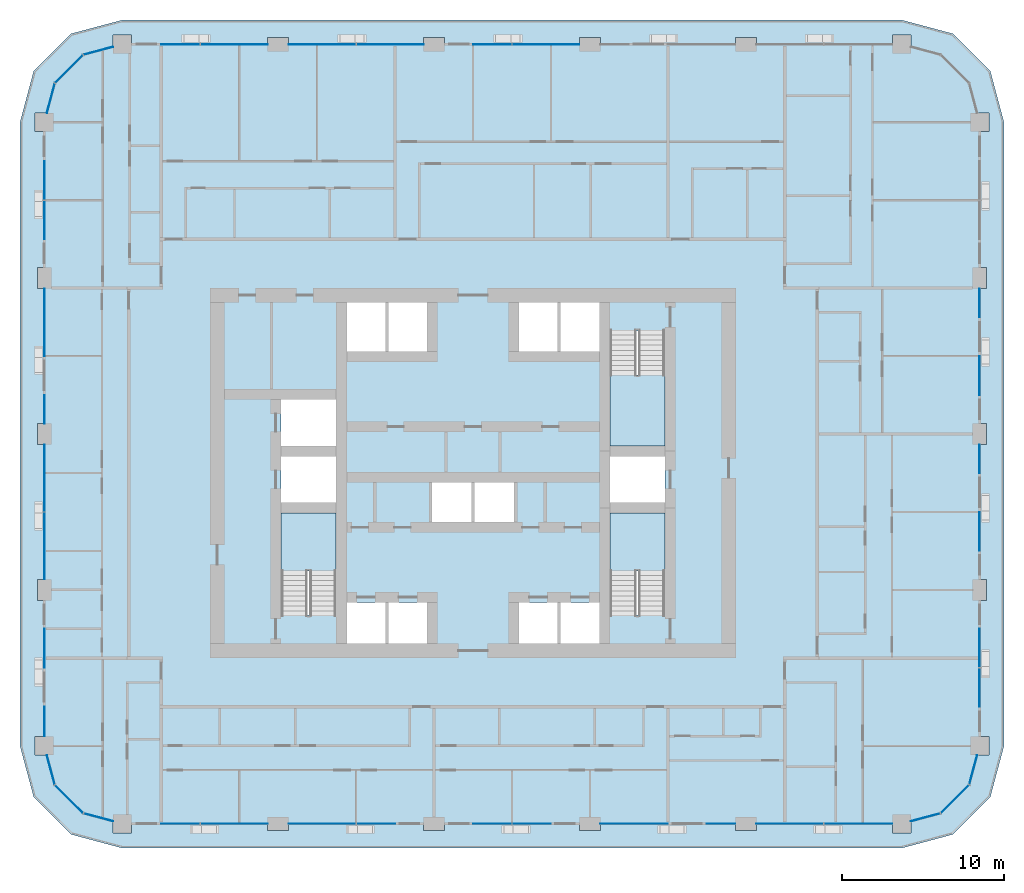
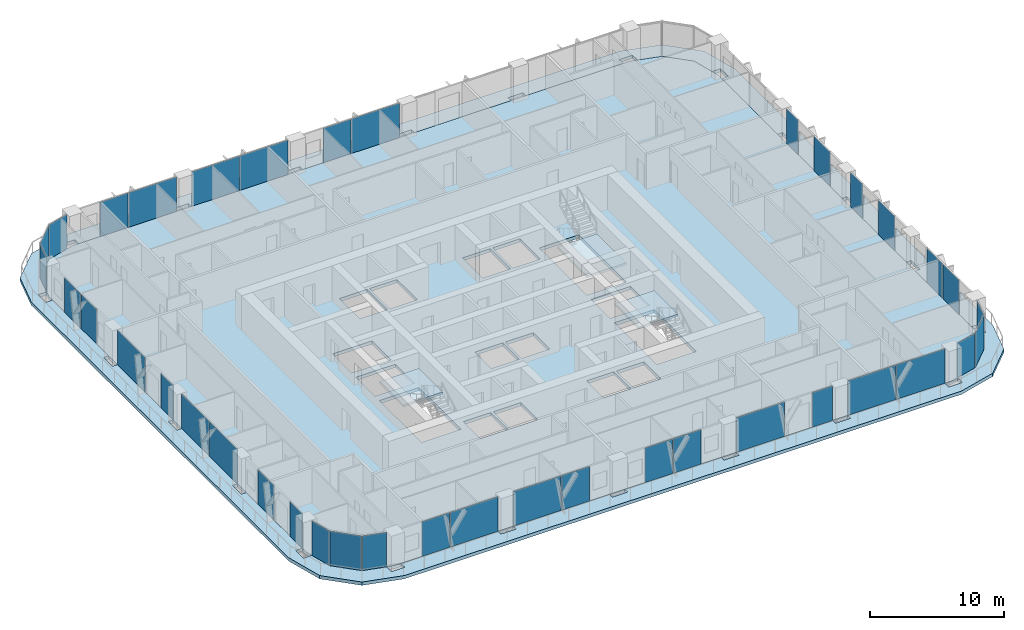
# One storey, part 7 of 21: 39 plates, 5 slabs, 21 elements without a shape of their own.
"""IFC4 building model written with IfcOpenShell, lengths in metres."""

from ifc_helpers import new_model, si_unit, direction, frame, origin, origin_2d, place, context, subcontext, project, spatial, polyline, rectangle, outline, extrude, material, layer, layer_set, type_object, element, aggregate, save


model = new_model("IFC4")

# Units and contexts
model_context = context("Model", 3, precision=1e-05, world=origin(), true_north=direction((0.0, 1.0)))
body_context = subcontext(model_context, "Body", "Model", "MODEL_VIEW")
ifc_project = project(units=[si_unit("LENGTHUNIT", "METRE"), si_unit("AREAUNIT", "SQUARE_METRE"), si_unit("VOLUMEUNIT", "CUBIC_METRE"), si_unit("PLANEANGLEUNIT", "RADIAN"), si_unit("MASSUNIT", "GRAM", prefix="KILO")], contexts=[model_context])

# Site, building, storey
site_placement = place(None, origin())
site = spatial("IfcSite", under=ifc_project, at=site_placement, CompositionType="ELEMENT")
building_placement = place(site_placement, origin())
building = spatial("IfcBuilding", under=site, at=building_placement, Name="Madar Terraces", CompositionType="ELEMENT")
storey_placement = place(building_placement, frame((0.0, 0.0, 89.199951171875)))
storey = spatial("IfcBuildingStorey", under=building, at=storey_placement, Name="L22", CompositionType="ELEMENT", Elevation=89.199951171875)

# Slabs
ifc_material_1 = material(Name="Concrete C50/60", Category="concrete")
ifc_layer_1 = layer(ifc_material_1, 0.300048828125)
ifc_layer_set_1 = layer_set([ifc_layer_1], Name="Balcony band 300")
slab_type_1 = type_object("IfcSlabType", Name="Balcony band 300", PredefinedType="FLOOR", material=ifc_layer_set_1)
slab_1_placement = place(storey_placement, frame((0.0, 0.0, -0.300048828125)))
element("IfcSlab", 1, at=slab_1_placement, inside=storey, type_object=slab_type_1, Name="Balcony band", PredefinedType="FLOOR", context=body_context, shape_type="SweptSolid", body=[
    extrude(outline(polyline([(9.60009765625, 3.300048828125), (6.449951171875, 4.14404296875), (4.14404296875, 6.449951171875), (3.300048828125, 9.60009765625), (3.300048828125, 48.0), (4.14404296875, 51.14990234375), (6.449951171875, 53.4560546875), (9.60009765625, 54.300048828125), (57.60009765625, 54.300048828125), (60.75, 53.4560546875), (63.055908203125, 51.14990234375), (63.89990234375, 48.0), (63.89990234375, 9.60009765625), (63.055908203125, 6.449951171875), (60.75, 4.14404296875), (57.60009765625, 3.300048828125), (9.60009765625, 3.300048828125)]), holes=[polyline([(10.175048828125, 4.22509765625), (10.175048828125, 4.800048828125), (18.550048828125, 4.800048828125), (18.550048828125, 4.375), (19.85009765625, 4.375), (19.85009765625, 4.800048828125), (28.14990234375, 4.800048828125), (28.14990234375, 4.375), (29.449951171875, 4.375), (29.449951171875, 4.800048828125), (37.75, 4.800048828125), (37.75, 4.375), (39.050048828125, 4.375), (39.050048828125, 4.800048828125), (47.35009765625, 4.800048828125), (47.35009765625, 4.375), (48.64990234375, 4.375), (48.64990234375, 4.800048828125), (57.02490234375, 4.800048828125), (57.02490234375, 4.22509765625), (58.175048828125, 4.22509765625), (58.175048828125, 4.9541015625), (60.0, 5.443115234375), (61.7568359375, 7.199951171875), (62.245849609375, 9.02490234375), (62.97509765625, 9.02490234375), (62.97509765625, 10.175048828125), (62.39990234375, 10.175048828125), (62.39990234375, 18.550048828125), (62.824951171875, 18.550048828125), (62.824951171875, 19.85009765625), (62.39990234375, 19.85009765625), (62.39990234375, 28.14990234375), (62.824951171875, 28.14990234375), (62.824951171875, 29.449951171875), (62.39990234375, 29.449951171875), (62.39990234375, 37.75), (62.824951171875, 37.75), (62.824951171875, 39.050048828125), (62.39990234375, 39.050048828125), (62.39990234375, 47.425048828125), (62.97509765625, 47.425048828125), (62.97509765625, 48.574951171875), (62.245849609375, 48.574951171875), (61.7568359375, 50.39990234375), (60.0, 52.156982421875), (58.175048828125, 52.64599609375), (58.175048828125, 53.375), (57.02490234375, 53.375), (57.02490234375, 52.800048828125), (48.64990234375, 52.800048828125), (48.64990234375, 53.22509765625), (47.35009765625, 53.22509765625), (47.35009765625, 52.800048828125), (39.050048828125, 52.800048828125), (39.050048828125, 53.22509765625), (37.75, 53.22509765625), (37.75, 52.800048828125), (29.449951171875, 52.800048828125), (29.449951171875, 53.22509765625), (28.14990234375, 53.22509765625), (28.14990234375, 52.800048828125), (19.85009765625, 52.800048828125), (19.85009765625, 53.22509765625), (18.550048828125, 53.22509765625), (18.550048828125, 52.800048828125), (10.175048828125, 52.800048828125), (10.175048828125, 53.375), (9.02490234375, 53.375), (9.02490234375, 52.64599609375), (7.199951171875, 52.156982421875), (5.443115234375, 50.39990234375), (4.9541015625, 48.574951171875), (4.22509765625, 48.574951171875), (4.22509765625, 47.425048828125), (4.800048828125, 47.425048828125), (4.800048828125, 39.050048828125), (4.375, 39.050048828125), (4.375, 37.75), (4.800048828125, 37.75), (4.800048828125, 29.449951171875), (4.375, 29.449951171875), (4.375, 28.14990234375), (4.800048828125, 28.14990234375), (4.800048828125, 19.85009765625), (4.375, 19.85009765625), (4.375, 18.550048828125), (4.800048828125, 18.550048828125), (4.800048828125, 10.175048828125), (4.22509765625, 10.175048828125), (4.22509765625, 9.02490234375), (4.9541015625, 9.02490234375), (5.443115234375, 7.199951171875), (7.199951171875, 5.443115234375), (9.02490234375, 4.9541015625), (9.02490234375, 4.22509765625), (10.175048828125, 4.22509765625)])]), origin(), (0.0, 0.0, 1.0), 0.300048828125),
])
ifc_material_2 = material(Name="Concrete C50/60", Category="concrete")
ifc_layer_2 = layer(ifc_material_2, 0.300048828125)
ifc_layer_set_2 = layer_set([ifc_layer_2], Name="FS2 PT flat slab 300")
slab_type_2 = type_object("IfcSlabType", Name="FS2 PT flat slab 300", PredefinedType="FLOOR", material=ifc_layer_set_2)
slab_2_placement = place(storey_placement, frame((0.0, 0.0, -0.300048828125)))
element("IfcSlab", 2, at=slab_2_placement, inside=storey, type_object=slab_type_2, Name="Floor slab L22 (1)", PredefinedType="FLOOR", context=body_context, shape_type="SweptSolid", body=[
    extrude(outline(polyline([(57.60009765625, 4.800048828125), (60.0, 5.443115234375), (61.7568359375, 7.199951171875), (62.39990234375, 9.60009765625), (62.39990234375, 48.0), (61.7568359375, 50.39990234375), (60.0, 52.156982421875), (57.60009765625, 52.800048828125), (9.60009765625, 52.800048828125), (7.199951171875, 52.156982421875), (5.443115234375, 50.39990234375), (4.800048828125, 48.0), (4.800048828125, 9.60009765625), (5.443115234375, 7.199951171875), (7.199951171875, 5.443115234375), (9.60009765625, 4.800048828125), (57.60009765625, 4.800048828125)]), holes=[polyline([(23.425048828125, 15.89990234375), (23.425048828125, 18.425048828125), (25.800048828125, 18.425048828125), (25.800048828125, 15.89990234375), (23.425048828125, 15.89990234375)]), polyline([(26.0, 15.89990234375), (26.0, 18.425048828125), (28.375, 18.425048828125), (28.375, 15.89990234375), (26.0, 15.89990234375)]), polyline([(19.375, 17.64990234375), (19.375, 23.925048828125), (22.77490234375, 23.925048828125), (22.77490234375, 17.64990234375), (19.375, 17.64990234375)]), polyline([(28.675048828125, 23.375), (28.675048828125, 25.824951171875), (31.10009765625, 25.824951171875), (31.10009765625, 23.375), (28.675048828125, 23.375)]), polyline([(19.375, 24.574951171875), (19.375, 27.425048828125), (22.77490234375, 27.425048828125), (22.77490234375, 24.574951171875), (19.375, 24.574951171875)]), polyline([(19.375, 28.074951171875), (19.375, 30.925048828125), (22.77490234375, 30.925048828125), (22.77490234375, 28.074951171875), (19.375, 28.074951171875)]), polyline([(23.425048828125, 33.875), (23.425048828125, 36.89990234375), (25.800048828125, 36.89990234375), (25.800048828125, 33.875), (23.425048828125, 33.875)]), polyline([(26.0, 33.875), (26.0, 36.89990234375), (28.375, 36.89990234375), (28.375, 33.875), (26.0, 33.875)]), polyline([(34.02490234375, 15.89990234375), (34.02490234375, 18.425048828125), (36.39990234375, 18.425048828125), (36.39990234375, 15.89990234375), (34.02490234375, 15.89990234375)]), polyline([(36.60009765625, 15.89990234375), (36.60009765625, 18.425048828125), (38.97509765625, 18.425048828125), (38.97509765625, 15.89990234375), (36.60009765625, 15.89990234375)]), polyline([(39.625, 17.64990234375), (39.625, 23.925048828125), (43.02490234375, 23.925048828125), (43.02490234375, 17.64990234375), (39.625, 17.64990234375)]), polyline([(31.300048828125, 23.375), (31.300048828125, 25.824951171875), (33.72509765625, 25.824951171875), (33.72509765625, 23.375), (31.300048828125, 23.375)]), polyline([(39.625, 24.574951171875), (39.625, 27.425048828125), (43.02490234375, 27.425048828125), (43.02490234375, 24.574951171875), (39.625, 24.574951171875)]), polyline([(39.625, 28.074951171875), (39.625, 35.14990234375), (43.02490234375, 35.14990234375), (43.02490234375, 28.074951171875), (39.625, 28.074951171875)]), polyline([(34.02490234375, 33.875), (34.02490234375, 36.89990234375), (36.39990234375, 36.89990234375), (36.39990234375, 33.875), (34.02490234375, 33.875)]), polyline([(36.60009765625, 33.875), (36.60009765625, 36.89990234375), (38.97509765625, 36.89990234375), (38.97509765625, 33.875), (36.60009765625, 33.875)])]), origin(), (0.0, 0.0, 1.0), 0.300048828125),
])

# Curtain wall, plates
ifc_material_3 = material(Name="Glass, ceramic frit dark grey, with black aluminium frame", Category="aluminium")
ifc_layer_3 = layer(ifc_material_3, 0.199951171875)
ifc_layer_set_3 = layer_set([ifc_layer_3], Name="Facade curtain wall, fritted glass")
curtain_wall_type = type_object("IfcCurtainWallType", Name="Facade curtain wall, fritted glass", PredefinedType="NOTDEFINED", material=ifc_layer_set_3)
curtain_wall_1_placement = place(storey_placement, origin())
curtain_wall_1 = element("IfcCurtainWall", 3, at=curtain_wall_1_placement, inside=storey, type_object=curtain_wall_type, Name="Outer skin curtain wall south bay 1", PredefinedType="NOTDEFINED")
ifc_material_4 = material(Name="Glass, ceramic frit dark grey", Category="glass")
ifc_layer_4 = layer(ifc_material_4, 0.028076171875)
ifc_layer_set_4 = layer_set([ifc_layer_4], Name="Facade glass panel 28")
plate_type = type_object("IfcPlateType", Name="Facade glass panel 28", PredefinedType="CURTAIN_PANEL", material=ifc_layer_set_4)
plate_1_placement = place(storey_placement, frame((13.18505859375, 4.800048828125, 0.0), z_axis=(0.0, 0.0, 1.0), x_axis=(1.0, 0.0, 0.0)))
plate_1 = element("IfcPlate", 4, at=plate_1_placement, type_object=plate_type, Name="Panel 1", PredefinedType="CURTAIN_PANEL", context=body_context, shape_type="SweptSolid", body=[
    extrude(rectangle(XDim=2.3701171875, YDim=0.028076171875, at=origin_2d()), origin(), (0.0, 0.0, 1.0), 3.139892578125),
])
plate_2_placement = place(storey_placement, frame((16.489990234375, 4.800048828125, 0.0), z_axis=(0.0, 0.0, 1.0), x_axis=(1.0, 0.0, 0.0)))
plate_2 = element("IfcPlate", 5, at=plate_2_placement, type_object=plate_type, Name="Panel 2", PredefinedType="CURTAIN_PANEL", context=body_context, shape_type="SweptSolid", body=[
    extrude(rectangle(XDim=4.1201171875, YDim=0.028076171875, at=origin_2d()), origin(), (0.0, 0.0, 1.0), 3.139892578125),
])
aggregate(curtain_wall_1, [plate_1, plate_2])

curtain_wall_2_placement = place(storey_placement, origin())
curtain_wall_2 = element("IfcCurtainWall", 6, at=curtain_wall_2_placement, inside=storey, type_object=curtain_wall_type, Name="Outer skin curtain wall south bay 2", PredefinedType="NOTDEFINED")
plate_3_placement = place(storey_placement, frame((21.909912109375, 4.800048828125, 0.0), z_axis=(0.0, 0.0, 1.0), x_axis=(1.0, 0.0, 0.0)))
plate_3 = element("IfcPlate", 7, at=plate_3_placement, type_object=plate_type, Name="Panel 1", PredefinedType="CURTAIN_PANEL", context=body_context, shape_type="SweptSolid", body=[
    extrude(rectangle(XDim=4.1201171875, YDim=0.028076171875, at=origin_2d()), origin(), (0.0, 0.0, 1.0), 3.139892578125),
])
plate_4_placement = place(storey_placement, frame((25.215087890625, 4.800048828125, 0.0), z_axis=(0.0, 0.0, 1.0), x_axis=(1.0, 0.0, 0.0)))
plate_4 = element("IfcPlate", 8, at=plate_4_placement, type_object=plate_type, Name="Panel 2", PredefinedType="CURTAIN_PANEL", context=body_context, shape_type="SweptSolid", body=[
    extrude(rectangle(XDim=2.3701171875, YDim=0.028076171875, at=origin_2d()), origin(), (0.0, 0.0, 1.0), 3.139892578125),
])
aggregate(curtain_wall_2, [plate_3, plate_4])

curtain_wall_3_placement = place(storey_placement, origin())
curtain_wall_3 = element("IfcCurtainWall", 9, at=curtain_wall_3_placement, inside=storey, type_object=curtain_wall_type, Name="Outer skin curtain wall south bay 3", PredefinedType="NOTDEFINED")
plate_5_placement = place(storey_placement, frame((32.385009765625, 4.800048828125, 0.0), z_axis=(0.0, 0.0, 1.0), x_axis=(1.0, 0.0, 0.0)))
plate_5 = element("IfcPlate", 10, at=plate_5_placement, type_object=plate_type, Name="Panel 1", PredefinedType="CURTAIN_PANEL", context=body_context, shape_type="SweptSolid", body=[
    extrude(rectangle(XDim=2.3701171875, YDim=0.028076171875, at=origin_2d()), origin(), (0.0, 0.0, 1.0), 3.139892578125),
])
plate_6_placement = place(storey_placement, frame((34.81494140625, 4.800048828125, 0.0), z_axis=(0.0, 0.0, 1.0), x_axis=(1.0, 0.0, 0.0)))
plate_6 = element("IfcPlate", 11, at=plate_6_placement, type_object=plate_type, Name="Panel 2", PredefinedType="CURTAIN_PANEL", context=body_context, shape_type="SweptSolid", body=[
    extrude(rectangle(XDim=2.3701171875, YDim=0.028076171875, at=origin_2d()), origin(), (0.0, 0.0, 1.0), 3.139892578125),
])
aggregate(curtain_wall_3, [plate_5, plate_6])

curtain_wall_4_placement = place(storey_placement, origin())
curtain_wall_4 = element("IfcCurtainWall", 12, at=curtain_wall_4_placement, inside=storey, type_object=curtain_wall_type, Name="Outer skin curtain wall south bay 4", PredefinedType="NOTDEFINED")
plate_7_placement = place(storey_placement, frame((41.125, 4.800048828125, 0.0), z_axis=(0.0, 0.0, 1.0), x_axis=(1.0, 0.0, 0.0)))
plate_7 = element("IfcPlate", 13, at=plate_7_placement, type_object=plate_type, Name="Panel 1", PredefinedType="CURTAIN_PANEL", context=body_context, shape_type="SweptSolid", body=[
    extrude(rectangle(XDim=4.14990234375, YDim=0.028076171875, at=origin_2d()), origin(), (0.0, 0.0, 1.0), 3.139892578125),
])
plate_8_placement = place(storey_placement, frame((46.47509765625, 4.800048828125, 0.0), z_axis=(0.0, 0.0, 1.0), x_axis=(1.0, 0.0, 0.0)))
plate_8 = element("IfcPlate", 14, at=plate_8_placement, type_object=plate_type, Name="Panel 2", PredefinedType="CURTAIN_PANEL", context=body_context, shape_type="SweptSolid", body=[
    extrude(rectangle(XDim=1.75, YDim=0.028076171875, at=origin_2d()), origin(), (0.0, 0.0, 1.0), 3.139892578125),
])
aggregate(curtain_wall_4, [plate_7, plate_8])

curtain_wall_5_placement = place(storey_placement, origin())
curtain_wall_5 = element("IfcCurtainWall", 15, at=curtain_wall_5_placement, inside=storey, type_object=curtain_wall_type, Name="Outer skin curtain wall south bay 5", PredefinedType="NOTDEFINED")
plate_9_placement = place(storey_placement, frame((50.7099609375, 4.800048828125, 0.0), z_axis=(0.0, 0.0, 1.0), x_axis=(1.0, 0.0, 0.0)))
plate_9 = element("IfcPlate", 16, at=plate_9_placement, type_object=plate_type, Name="Panel 1", PredefinedType="CURTAIN_PANEL", context=body_context, shape_type="SweptSolid", body=[
    extrude(rectangle(XDim=4.1201171875, YDim=0.028076171875, at=origin_2d()), origin(), (0.0, 0.0, 1.0), 3.139892578125),
])
plate_10_placement = place(storey_placement, frame((54.927490234375, 4.800048828125, 0.0), z_axis=(0.0, 0.0, 1.0), x_axis=(1.0, 0.0, 0.0)))
plate_10 = element("IfcPlate", 17, at=plate_10_placement, type_object=plate_type, Name="Panel 2", PredefinedType="CURTAIN_PANEL", context=body_context, shape_type="SweptSolid", body=[
    extrude(rectangle(XDim=4.195068359375, YDim=0.028076171875, at=origin_2d()), origin(), (0.0, 0.0, 1.0), 3.139892578125),
])
aggregate(curtain_wall_5, [plate_9, plate_10])

curtain_wall_6_placement = place(storey_placement, origin())
curtain_wall_6 = element("IfcCurtainWall", 18, at=curtain_wall_6_placement, inside=storey, type_object=curtain_wall_type, Name="Outer skin curtain wall east bay 1", PredefinedType="NOTDEFINED")
plate_11_placement = place(storey_placement, frame((62.39990234375, 13.18505859375, 0.0), z_axis=(0.0, 0.0, 1.0), x_axis=(0.0, 1.0, 0.0)))
plate_11 = element("IfcPlate", 19, at=plate_11_placement, type_object=plate_type, Name="Panel 1", PredefinedType="CURTAIN_PANEL", context=body_context, shape_type="SweptSolid", body=[
    extrude(rectangle(XDim=2.3701171875, YDim=0.028076171875, at=origin_2d()), origin(), (0.0, 0.0, 1.0), 3.139892578125),
])
plate_12_placement = place(storey_placement, frame((62.39990234375, 15.614990234375, 0.0), z_axis=(0.0, 0.0, 1.0), x_axis=(0.0, 1.0, 0.0)))
plate_12 = element("IfcPlate", 20, at=plate_12_placement, type_object=plate_type, Name="Panel 2", PredefinedType="CURTAIN_PANEL", context=body_context, shape_type="SweptSolid", body=[
    extrude(rectangle(XDim=2.3701171875, YDim=0.028076171875, at=origin_2d()), origin(), (0.0, 0.0, 1.0), 3.139892578125),
])
aggregate(curtain_wall_6, [plate_11, plate_12])

curtain_wall_7_placement = place(storey_placement, origin())
curtain_wall_7 = element("IfcCurtainWall", 21, at=curtain_wall_7_placement, inside=storey, type_object=curtain_wall_type, Name="Outer skin curtain wall east bay 2", PredefinedType="NOTDEFINED")
plate_13_placement = place(storey_placement, frame((62.39990234375, 22.800048828125, 0.0), z_axis=(0.0, 0.0, 1.0), x_axis=(0.0, 1.0, 0.0)))
plate_13 = element("IfcPlate", 22, at=plate_13_placement, type_object=plate_type, Name="Panel 1", PredefinedType="CURTAIN_PANEL", context=body_context, shape_type="SweptSolid", body=[
    extrude(rectangle(XDim=2.39990234375, YDim=0.028076171875, at=origin_2d()), origin(), (0.0, 0.0, 1.0), 3.139892578125),
])
plate_14_placement = place(storey_placement, frame((62.39990234375, 27.27490234375, 0.0), z_axis=(0.0, 0.0, 1.0), x_axis=(0.0, 1.0, 0.0)))
plate_14 = element("IfcPlate", 23, at=plate_14_placement, type_object=plate_type, Name="Panel 2", PredefinedType="CURTAIN_PANEL", context=body_context, shape_type="SweptSolid", body=[
    extrude(rectangle(XDim=1.75, YDim=0.028076171875, at=origin_2d()), origin(), (0.0, 0.0, 1.0), 3.139892578125),
])
aggregate(curtain_wall_7, [plate_13, plate_14])

curtain_wall_8_placement = place(storey_placement, origin())
curtain_wall_8 = element("IfcCurtainWall", 24, at=curtain_wall_8_placement, inside=storey, type_object=curtain_wall_type, Name="Outer skin curtain wall east bay 3", PredefinedType="NOTDEFINED")
plate_15_placement = place(storey_placement, frame((62.39990234375, 32.39990234375, 0.0), z_axis=(0.0, 0.0, 1.0), x_axis=(0.0, 1.0, 0.0)))
plate_15 = element("IfcPlate", 25, at=plate_15_placement, type_object=plate_type, Name="Panel 1", PredefinedType="CURTAIN_PANEL", context=body_context, shape_type="SweptSolid", body=[
    extrude(rectangle(XDim=2.39990234375, YDim=0.028076171875, at=origin_2d()), origin(), (0.0, 0.0, 1.0), 3.139892578125),
])
plate_16_placement = place(storey_placement, frame((62.39990234375, 36.875, 0.0), z_axis=(0.0, 0.0, 1.0), x_axis=(0.0, 1.0, 0.0)))
plate_16 = element("IfcPlate", 26, at=plate_16_placement, type_object=plate_type, Name="Panel 2", PredefinedType="CURTAIN_PANEL", context=body_context, shape_type="SweptSolid", body=[
    extrude(rectangle(XDim=1.75, YDim=0.028076171875, at=origin_2d()), origin(), (0.0, 0.0, 1.0), 3.139892578125),
])
aggregate(curtain_wall_8, [plate_15, plate_16])

curtain_wall_9_placement = place(storey_placement, origin())
curtain_wall_9 = element("IfcCurtainWall", 27, at=curtain_wall_9_placement, inside=storey, type_object=curtain_wall_type, Name="Outer skin curtain wall north bay 3", PredefinedType="NOTDEFINED")
plate_17_placement = place(storey_placement, frame((35.68994140625, 52.800048828125, 0.0), z_axis=(0.0, 0.0, 1.0), x_axis=(-1.0, 0.0, 0.0)))
plate_17 = element("IfcPlate", 28, at=plate_17_placement, type_object=plate_type, Name="Panel 1", PredefinedType="CURTAIN_PANEL", context=body_context, shape_type="SweptSolid", body=[
    extrude(rectangle(XDim=4.1201171875, YDim=0.028076171875, at=origin_2d()), origin(), (0.0, 0.0, 1.0), 3.139892578125),
])
plate_18_placement = place(storey_placement, frame((32.385009765625, 52.800048828125, 0.0), z_axis=(0.0, 0.0, 1.0), x_axis=(-1.0, 0.0, 0.0)))
plate_18 = element("IfcPlate", 29, at=plate_18_placement, type_object=plate_type, Name="Panel 2", PredefinedType="CURTAIN_PANEL", context=body_context, shape_type="SweptSolid", body=[
    extrude(rectangle(XDim=2.3701171875, YDim=0.028076171875, at=origin_2d()), origin(), (0.0, 0.0, 1.0), 3.139892578125),
])
aggregate(curtain_wall_9, [plate_17, plate_18])

curtain_wall_10_placement = place(storey_placement, origin())
curtain_wall_10 = element("IfcCurtainWall", 30, at=curtain_wall_10_placement, inside=storey, type_object=curtain_wall_type, Name="Outer skin curtain wall north bay 4", PredefinedType="NOTDEFINED")
plate_19_placement = place(storey_placement, frame((26.090087890625, 52.800048828125, 0.0), z_axis=(0.0, 0.0, 1.0), x_axis=(-1.0, 0.0, 0.0)))
plate_19 = element("IfcPlate", 31, at=plate_19_placement, type_object=plate_type, Name="Panel 1", PredefinedType="CURTAIN_PANEL", context=body_context, shape_type="SweptSolid", body=[
    extrude(rectangle(XDim=4.1201171875, YDim=0.028076171875, at=origin_2d()), origin(), (0.0, 0.0, 1.0), 3.139892578125),
])
plate_20_placement = place(storey_placement, frame((21.909912109375, 52.800048828125, 0.0), z_axis=(0.0, 0.0, 1.0), x_axis=(-1.0, 0.0, 0.0)))
plate_20 = element("IfcPlate", 32, at=plate_20_placement, type_object=plate_type, Name="Panel 2", PredefinedType="CURTAIN_PANEL", context=body_context, shape_type="SweptSolid", body=[
    extrude(rectangle(XDim=4.1201171875, YDim=0.028076171875, at=origin_2d()), origin(), (0.0, 0.0, 1.0), 3.139892578125),
])
aggregate(curtain_wall_10, [plate_19, plate_20])

curtain_wall_11_placement = place(storey_placement, origin())
curtain_wall_11 = element("IfcCurtainWall", 33, at=curtain_wall_11_placement, inside=storey, type_object=curtain_wall_type, Name="Outer skin curtain wall north bay 5", PredefinedType="NOTDEFINED")
plate_21_placement = place(storey_placement, frame((16.489990234375, 52.800048828125, 0.0), z_axis=(0.0, 0.0, 1.0), x_axis=(-1.0, 0.0, 0.0)))
plate_21 = element("IfcPlate", 34, at=plate_21_placement, type_object=plate_type, Name="Panel 1", PredefinedType="CURTAIN_PANEL", context=body_context, shape_type="SweptSolid", body=[
    extrude(rectangle(XDim=4.1201171875, YDim=0.028076171875, at=origin_2d()), origin(), (0.0, 0.0, 1.0), 3.139892578125),
])
plate_22_placement = place(storey_placement, frame((13.18505859375, 52.800048828125, 0.0), z_axis=(0.0, 0.0, 1.0), x_axis=(-1.0, 0.0, 0.0)))
plate_22 = element("IfcPlate", 35, at=plate_22_placement, type_object=plate_type, Name="Panel 2", PredefinedType="CURTAIN_PANEL", context=body_context, shape_type="SweptSolid", body=[
    extrude(rectangle(XDim=2.3701171875, YDim=0.028076171875, at=origin_2d()), origin(), (0.0, 0.0, 1.0), 3.139892578125),
])
aggregate(curtain_wall_11, [plate_21, plate_22])

curtain_wall_12_placement = place(storey_placement, origin())
curtain_wall_12 = element("IfcCurtainWall", 36, at=curtain_wall_12_placement, inside=storey, type_object=curtain_wall_type, Name="Outer skin curtain wall west bay 1", PredefinedType="NOTDEFINED")
plate_23_placement = place(storey_placement, frame((4.800048828125, 44.4150390625, 0.0), z_axis=(0.0, 0.0, 1.0), x_axis=(0.0, -1.0, 0.0)))
plate_23 = element("IfcPlate", 37, at=plate_23_placement, type_object=plate_type, Name="Panel 1", PredefinedType="CURTAIN_PANEL", context=body_context, shape_type="SweptSolid", body=[
    extrude(rectangle(XDim=2.3701171875, YDim=0.028076171875, at=origin_2d()), origin(), (0.0, 0.0, 1.0), 3.139892578125),
])
plate_24_placement = place(storey_placement, frame((4.800048828125, 41.985107421875, 0.0), z_axis=(0.0, 0.0, 1.0), x_axis=(0.0, -1.0, 0.0)))
plate_24 = element("IfcPlate", 38, at=plate_24_placement, type_object=plate_type, Name="Panel 2", PredefinedType="CURTAIN_PANEL", context=body_context, shape_type="SweptSolid", body=[
    extrude(rectangle(XDim=2.3701171875, YDim=0.028076171875, at=origin_2d()), origin(), (0.0, 0.0, 1.0), 3.139892578125),
])
aggregate(curtain_wall_12, [plate_23, plate_24])

curtain_wall_13_placement = place(storey_placement, origin())
curtain_wall_13 = element("IfcCurtainWall", 39, at=curtain_wall_13_placement, inside=storey, type_object=curtain_wall_type, Name="Outer skin curtain wall west bay 2", PredefinedType="NOTDEFINED")
plate_25_placement = place(storey_placement, frame((4.800048828125, 35.675048828125, 0.0), z_axis=(0.0, 0.0, 1.0), x_axis=(0.0, -1.0, 0.0)))
plate_25 = element("IfcPlate", 40, at=plate_25_placement, type_object=plate_type, Name="Panel 1", PredefinedType="CURTAIN_PANEL", context=body_context, shape_type="SweptSolid", body=[
    extrude(rectangle(XDim=4.14990234375, YDim=0.028076171875, at=origin_2d()), origin(), (0.0, 0.0, 1.0), 3.139892578125),
])
plate_26_placement = place(storey_placement, frame((4.800048828125, 30.324951171875, 0.0), z_axis=(0.0, 0.0, 1.0), x_axis=(0.0, -1.0, 0.0)))
plate_26 = element("IfcPlate", 41, at=plate_26_placement, type_object=plate_type, Name="Panel 2", PredefinedType="CURTAIN_PANEL", context=body_context, shape_type="SweptSolid", body=[
    extrude(rectangle(XDim=1.75, YDim=0.028076171875, at=origin_2d()), origin(), (0.0, 0.0, 1.0), 3.139892578125),
])
aggregate(curtain_wall_13, [plate_25, plate_26])

curtain_wall_14_placement = place(storey_placement, origin())
curtain_wall_14 = element("IfcCurtainWall", 42, at=curtain_wall_14_placement, inside=storey, type_object=curtain_wall_type, Name="Outer skin curtain wall west bay 3", PredefinedType="NOTDEFINED")
plate_27_placement = place(storey_placement, frame((4.800048828125, 26.090087890625, 0.0), z_axis=(0.0, 0.0, 1.0), x_axis=(0.0, -1.0, 0.0)))
plate_27 = element("IfcPlate", 43, at=plate_27_placement, type_object=plate_type, Name="Panel 1", PredefinedType="CURTAIN_PANEL", context=body_context, shape_type="SweptSolid", body=[
    extrude(rectangle(XDim=4.1201171875, YDim=0.028076171875, at=origin_2d()), origin(), (0.0, 0.0, 1.0), 3.139892578125),
])
plate_28_placement = place(storey_placement, frame((4.800048828125, 21.909912109375, 0.0), z_axis=(0.0, 0.0, 1.0), x_axis=(0.0, -1.0, 0.0)))
plate_28 = element("IfcPlate", 44, at=plate_28_placement, type_object=plate_type, Name="Panel 2", PredefinedType="CURTAIN_PANEL", context=body_context, shape_type="SweptSolid", body=[
    extrude(rectangle(XDim=4.1201171875, YDim=0.028076171875, at=origin_2d()), origin(), (0.0, 0.0, 1.0), 3.139892578125),
])
aggregate(curtain_wall_14, [plate_27, plate_28])

curtain_wall_15_placement = place(storey_placement, origin())
curtain_wall_15 = element("IfcCurtainWall", 45, at=curtain_wall_15_placement, inside=storey, type_object=curtain_wall_type, Name="Outer skin curtain wall west bay 4", PredefinedType="NOTDEFINED")
plate_29_placement = place(storey_placement, frame((4.800048828125, 15.60009765625, 0.0), z_axis=(0.0, 0.0, 1.0), x_axis=(0.0, -1.0, 0.0)))
plate_29 = element("IfcPlate", 46, at=plate_29_placement, type_object=plate_type, Name="Panel 1", PredefinedType="CURTAIN_PANEL", context=body_context, shape_type="SweptSolid", body=[
    extrude(rectangle(XDim=2.39990234375, YDim=0.028076171875, at=origin_2d()), origin(), (0.0, 0.0, 1.0), 3.139892578125),
])
plate_30_placement = place(storey_placement, frame((4.800048828125, 11.08740234375, 0.0), z_axis=(0.0, 0.0, 1.0), x_axis=(0.0, -1.0, 0.0)))
plate_30 = element("IfcPlate", 47, at=plate_30_placement, type_object=plate_type, Name="Panel 2", PredefinedType="CURTAIN_PANEL", context=body_context, shape_type="SweptSolid", body=[
    extrude(rectangle(XDim=1.824951171875, YDim=0.028076171875, at=origin_2d()), origin(), (0.0, 0.0, 1.0), 3.139892578125),
])
aggregate(curtain_wall_15, [plate_29, plate_30])

curtain_wall_16_placement = place(storey_placement, origin())
curtain_wall_16 = element("IfcCurtainWall", 48, at=curtain_wall_16_placement, inside=storey, type_object=curtain_wall_type, Name="Outer skin curtain wall south-east corner", PredefinedType="NOTDEFINED")
plate_31_placement = place(storey_placement, frame((59.072998046875, 5.194580078125, 0.0), z_axis=(0.0, 0.0, 1.0), x_axis=(0.965925832509, 0.258819021888, 0.0)))
plate_31 = element("IfcPlate", 49, at=plate_31_placement, type_object=plate_type, Name="Panel 1", PredefinedType="CURTAIN_PANEL", context=body_context, shape_type="SweptSolid", body=[
    extrude(rectangle(XDim=1.859375, YDim=0.028076171875, at=origin_2d()), origin(), (0.0, 0.0, 1.0), 3.139892578125),
])
plate_32_placement = place(storey_placement, frame((60.87841796875, 6.321533203125, 0.0), z_axis=(0.0, 0.0, 1.0), x_axis=(0.707106781187, 0.707106781187, 0.0)))
plate_32 = element("IfcPlate", 50, at=plate_32_placement, type_object=plate_type, Name="Panel 2", PredefinedType="CURTAIN_PANEL", context=body_context, shape_type="SweptSolid", body=[
    extrude(rectangle(XDim=2.424560546875, YDim=0.028076171875, at=origin_2d()), origin(), (0.0, 0.0, 1.0), 3.139892578125),
])
plate_33_placement = place(storey_placement, frame((62.00537109375, 8.126953125, 0.0), z_axis=(0.0, 0.0, 1.0), x_axis=(0.258819021888, 0.965925832509, 0.0)))
plate_33 = element("IfcPlate", 51, at=plate_33_placement, type_object=plate_type, Name="Panel 3", PredefinedType="CURTAIN_PANEL", context=body_context, shape_type="SweptSolid", body=[
    extrude(rectangle(XDim=1.859375, YDim=0.028076171875, at=origin_2d()), origin(), (0.0, 0.0, 1.0), 3.139892578125),
])
aggregate(curtain_wall_16, [plate_31, plate_32, plate_33])

curtain_wall_17_placement = place(storey_placement, origin())
curtain_wall_17 = element("IfcCurtainWall", 52, at=curtain_wall_17_placement, inside=storey, type_object=curtain_wall_type, Name="Outer skin curtain wall north-west corner", PredefinedType="NOTDEFINED")
plate_34_placement = place(storey_placement, frame((8.126953125, 52.4052734375, 0.0), z_axis=(0.0, 0.0, 1.0), x_axis=(-0.965925832509, -0.258819021888, 0.0)))
plate_34 = element("IfcPlate", 53, at=plate_34_placement, type_object=plate_type, Name="Panel 1", PredefinedType="CURTAIN_PANEL", context=body_context, shape_type="SweptSolid", body=[
    extrude(rectangle(XDim=1.859375, YDim=0.028076171875, at=origin_2d()), origin(), (0.0, 0.0, 1.0), 3.139892578125),
])
plate_35_placement = place(storey_placement, frame((6.321533203125, 51.278564453125, 0.0), z_axis=(0.0, 0.0, 1.0), x_axis=(-0.707106781187, -0.707106781187, 0.0)))
plate_35 = element("IfcPlate", 54, at=plate_35_placement, type_object=plate_type, Name="Panel 2", PredefinedType="CURTAIN_PANEL", context=body_context, shape_type="SweptSolid", body=[
    extrude(rectangle(XDim=2.424560546875, YDim=0.028076171875, at=origin_2d()), origin(), (0.0, 0.0, 1.0), 3.139892578125),
])
plate_36_placement = place(storey_placement, frame((5.194580078125, 49.472900390625, 0.0), z_axis=(0.0, 0.0, 1.0), x_axis=(-0.258819021888, -0.965925832509, 0.0)))
plate_36 = element("IfcPlate", 55, at=plate_36_placement, type_object=plate_type, Name="Panel 3", PredefinedType="CURTAIN_PANEL", context=body_context, shape_type="SweptSolid", body=[
    extrude(rectangle(XDim=1.859375, YDim=0.028076171875, at=origin_2d()), origin(), (0.0, 0.0, 1.0), 3.139892578125),
])
aggregate(curtain_wall_17, [plate_34, plate_35, plate_36])

curtain_wall_18_placement = place(storey_placement, origin())
curtain_wall_18 = element("IfcCurtainWall", 56, at=curtain_wall_18_placement, inside=storey, type_object=curtain_wall_type, Name="Outer skin curtain wall south-west corner", PredefinedType="NOTDEFINED")
plate_37_placement = place(storey_placement, frame((5.194580078125, 8.126953125, 0.0), z_axis=(0.0, 0.0, 1.0), x_axis=(0.258819021888, -0.965925832509, 0.0)))
plate_37 = element("IfcPlate", 57, at=plate_37_placement, type_object=plate_type, Name="Panel 1", PredefinedType="CURTAIN_PANEL", context=body_context, shape_type="SweptSolid", body=[
    extrude(rectangle(XDim=1.859375, YDim=0.028076171875, at=origin_2d()), origin(), (0.0, 0.0, 1.0), 3.139892578125),
])
plate_38_placement = place(storey_placement, frame((6.321533203125, 6.321533203125, 0.0), z_axis=(0.0, 0.0, 1.0), x_axis=(0.707106781187, -0.707106781187, 0.0)))
plate_38 = element("IfcPlate", 58, at=plate_38_placement, type_object=plate_type, Name="Panel 2", PredefinedType="CURTAIN_PANEL", context=body_context, shape_type="SweptSolid", body=[
    extrude(rectangle(XDim=2.424560546875, YDim=0.028076171875, at=origin_2d()), origin(), (0.0, 0.0, 1.0), 3.139892578125),
])
plate_39_placement = place(storey_placement, frame((8.126953125, 5.194580078125, 0.0), z_axis=(0.0, 0.0, 1.0), x_axis=(0.965925832509, -0.258819021888, 0.0)))
plate_39 = element("IfcPlate", 59, at=plate_39_placement, type_object=plate_type, Name="Panel 3", PredefinedType="CURTAIN_PANEL", context=body_context, shape_type="SweptSolid", body=[
    extrude(rectangle(XDim=1.859375, YDim=0.028076171875, at=origin_2d()), origin(), (0.0, 0.0, 1.0), 3.139892578125),
])
aggregate(curtain_wall_18, [plate_37, plate_38, plate_39])

# Stair, slab
ifc_material_5 = material(Name="Concrete C50/60", Category="concrete")
stair_type_1 = type_object("IfcStairType", Name="Stair ST1 protected exit", PredefinedType="HALF_TURN_STAIR", material=ifc_material_5)
stair_1_placement = place(storey_placement, origin())
stair_1 = element("IfcStair", 60, at=stair_1_placement, inside=storey, type_object=stair_type_1, Name="L22 Protected Exit Stair ST1", PredefinedType="HALF_TURN_STAIR")
ifc_material_6 = material(Name="Concrete C50/60", Category="concrete")
ifc_layer_5 = layer(ifc_material_6, 0.199951171875)
ifc_layer_set_5 = layer_set([ifc_layer_5], Name="Stair landing 200, top +1.75")
slab_type_3 = type_object("IfcSlabType", Name="Stair landing 200, top +1.75", PredefinedType="LANDING", material=ifc_layer_set_5)
slab_3_placement = place(storey_placement, frame((0.0, 0.0, 1.550048828125)))
slab_3 = element("IfcSlab", 61, at=slab_3_placement, type_object=slab_type_3, Name="ST1 landing 1", PredefinedType="LANDING", context=body_context, shape_type="SweptSolid", body=[
    extrude(outline(polyline([(19.375, 20.360107421875), (22.77490234375, 20.360107421875), (22.77490234375, 23.925048828125), (19.375, 23.925048828125), (19.375, 20.360107421875)])), origin(), (0.0, 0.0, 1.0), 0.199951171875),
])
aggregate(stair_1, [slab_3])

ifc_material_7 = material(Name="Concrete C50/60", Category="concrete")
stair_type_2 = type_object("IfcStairType", Name="Stair ST2 protected exit", PredefinedType="HALF_TURN_STAIR", material=ifc_material_7)
stair_2_placement = place(storey_placement, origin())
stair_2 = element("IfcStair", 62, at=stair_2_placement, inside=storey, type_object=stair_type_2, Name="L22 Protected Exit Stair ST2", PredefinedType="HALF_TURN_STAIR")
slab_4_placement = place(storey_placement, frame((0.0, 0.0, 1.550048828125)))
slab_4 = element("IfcSlab", 63, at=slab_4_placement, type_object=slab_type_3, Name="ST2 landing 1", PredefinedType="LANDING", context=body_context, shape_type="SweptSolid", body=[
    extrude(outline(polyline([(39.625, 28.074951171875), (43.02490234375, 28.074951171875), (43.02490234375, 32.43994140625), (39.625, 32.43994140625), (39.625, 28.074951171875)])), origin(), (0.0, 0.0, 1.0), 0.199951171875),
])
aggregate(stair_2, [slab_4])

ifc_material_8 = material(Name="Concrete C50/60", Category="concrete")
stair_type_3 = type_object("IfcStairType", Name="Stair ST3 protected exit", PredefinedType="HALF_TURN_STAIR", material=ifc_material_8)
stair_3_placement = place(storey_placement, origin())
stair_3 = element("IfcStair", 64, at=stair_3_placement, inside=storey, type_object=stair_type_3, Name="L22 Protected Exit Stair ST3", PredefinedType="HALF_TURN_STAIR")
slab_5_placement = place(storey_placement, frame((0.0, 0.0, 1.550048828125)))
slab_5 = element("IfcSlab", 65, at=slab_5_placement, type_object=slab_type_3, Name="ST3 landing 1", PredefinedType="LANDING", context=body_context, shape_type="SweptSolid", body=[
    extrude(outline(polyline([(39.625, 20.360107421875), (43.02490234375, 20.360107421875), (43.02490234375, 23.925048828125), (39.625, 23.925048828125), (39.625, 20.360107421875)])), origin(), (0.0, 0.0, 1.0), 0.199951171875),
])
aggregate(stair_3, [slab_5])

save(model, "model.ifc")
